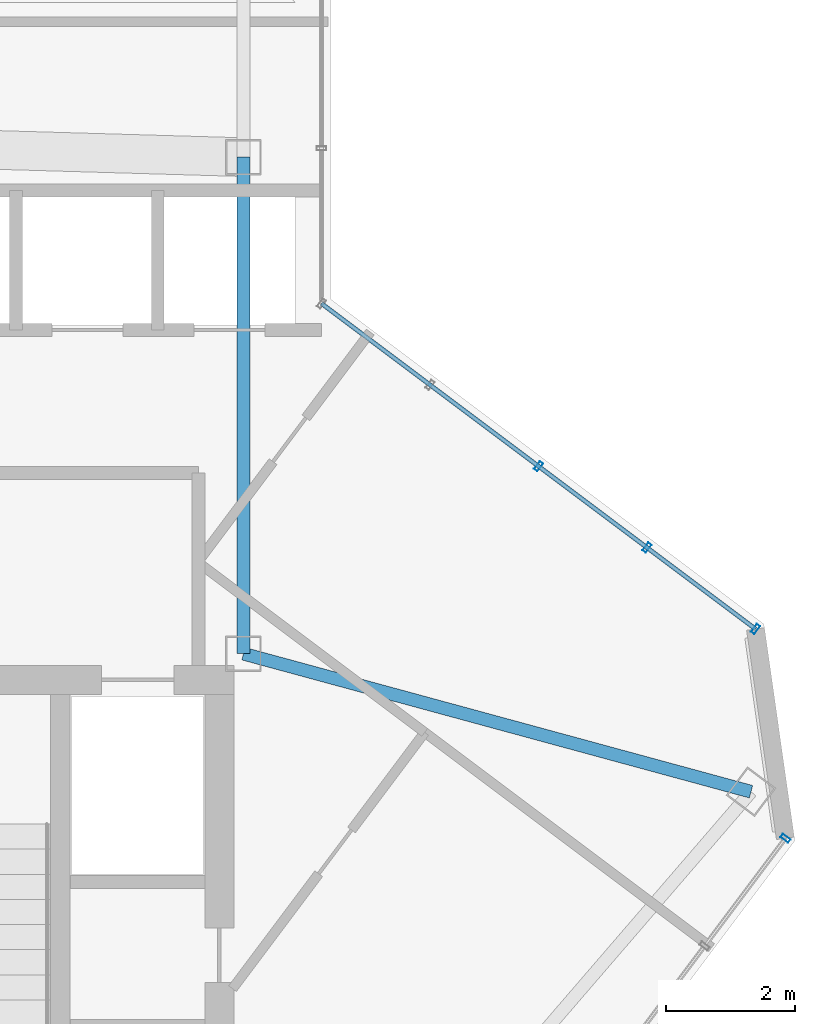
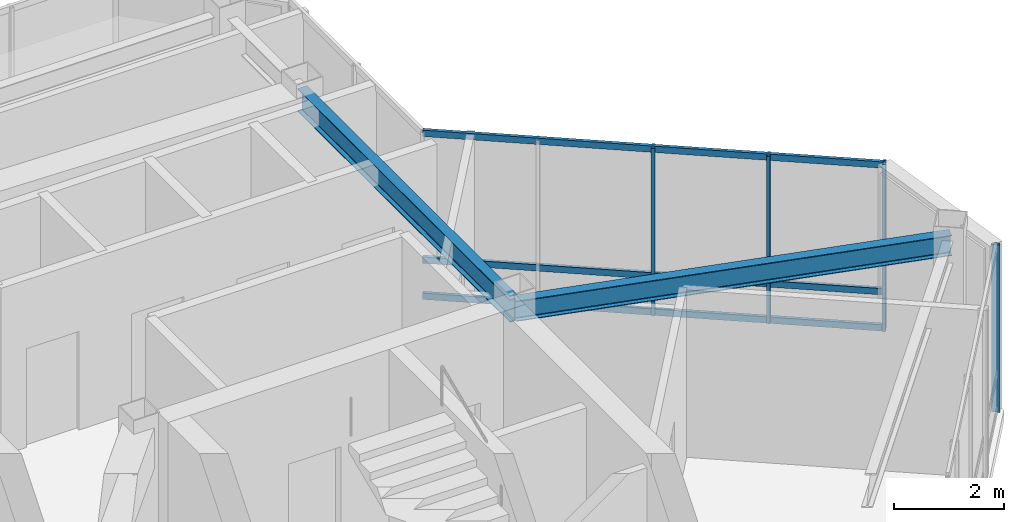
# One storey, part 13 of 24: 7 members, 2 beams, 2 elements without a shape of their own.
"""IFC4 building model written with IfcOpenShell, lengths in metres."""

from ifc_helpers import new_model, si_unit, direction, frame, origin, origin_2d, place, context, subcontext, project, spatial, hollow_rectangle, i_section, extrude, material, layer, layer_set, material_profile, profile_set, type_object, element, aggregate, save


model = new_model("IFC4")

# Units and contexts
model_context = context("Model", 3, precision=1e-05, world=origin(), true_north=direction((0.0, 1.0)))
body_context = subcontext(model_context, "Body", "Model", "MODEL_VIEW")
ifc_project = project(units=[si_unit("LENGTHUNIT", "METRE"), si_unit("AREAUNIT", "SQUARE_METRE"), si_unit("VOLUMEUNIT", "CUBIC_METRE"), si_unit("PLANEANGLEUNIT", "RADIAN"), si_unit("MASSUNIT", "GRAM", prefix="KILO")], contexts=[model_context])

# Site, building, storey
site_placement = place(None, origin())
site = spatial("IfcSite", under=ifc_project, at=site_placement, CompositionType="ELEMENT")
building_placement = place(site_placement, origin())
building = spatial("IfcBuilding", under=site, at=building_placement, Name="Hatsunagi Terrace Concourse", CompositionType="ELEMENT")
storey_placement = place(building_placement, frame((0.0, 0.0, 285.949951171875)))
storey = spatial("IfcBuildingStorey", under=building, at=storey_placement, Name="L75", CompositionType="ELEMENT", Elevation=285.949951171875)

# Beam
ifc_material_1 = material(Name="Steel SN490B", Category="steel")
ifc_material_profile_1 = material_profile(ifc_material_1, i_section(OverallWidth=0.199951171875, OverallDepth=0.5, WebThickness=0.010009765625, FlangeThickness=0.01611328125, FilletRadius=0.01611328125, at=origin_2d()), Name="H-500x200x10x16")
ifc_profile_set_1 = profile_set([ifc_material_profile_1], Name="Steel SN490B")
beam_type_1 = type_object("IfcBeamType", Name="CrownFloorGirder_H_500x200", PredefinedType="BEAM", material=ifc_profile_set_1)
beam_1_placement = place(storey_placement, frame((43.64990234375, 35.300048828125, 3.449951171875), z_axis=(0.0, 1.0, 0.0), x_axis=(-1.0, 0.0, 0.0)))
element("IfcBeam", 1, at=beam_1_placement, inside=storey, type_object=beam_type_1, Name="Beam G-07 BM-L75-CBK3", PredefinedType="BEAM", context=body_context, shape_type="SweptSolid", body=[
    extrude(i_section(OverallWidth=0.199951171875, OverallDepth=0.5, WebThickness=0.010009765625, FlangeThickness=0.01611328125, FilletRadius=0.01611328125, at=origin_2d()), origin(), (0.0, 0.0, 1.0), 7.699951171875),
])

# Curtain wall, members
ifc_material_2 = material(Name="Anodised Aluminium Alloy 6063-T5", Category="aluminium")
ifc_layer = layer(ifc_material_2, 0.199951171875)
ifc_layer_set = layer_set([ifc_layer], Name="CrownWintergarden_CW06")
curtain_wall_type = type_object("IfcCurtainWallType", Name="CrownWintergarden_CW06", PredefinedType="NOTDEFINED", material=ifc_layer_set)
curtain_wall_1_placement = place(storey_placement, origin())
curtain_wall_1 = element("IfcCurtainWall", 2, at=curtain_wall_1_placement, inside=storey, type_object=curtain_wall_type, Name="Unitised Curtain Wall CW-06 CW-L75-01", PredefinedType="NOTDEFINED")
ifc_material_3 = material(Name="Anodised Aluminium Alloy 6063-T5", Category="aluminium")
ifc_material_profile_2 = material_profile(ifc_material_3, hollow_rectangle(XDim=0.06494140625, YDim=0.14990234375, WallThickness=0.00390625, at=origin_2d()), Name="ALU-MUL-150x65x4")
ifc_profile_set_2 = profile_set([ifc_material_profile_2], Name="Anodised Aluminium Alloy 6063-T5")
member_type_1 = type_object("IfcMemberType", Name="CurtainWallMullion_Crown_150x65", PredefinedType="MULLION", material=ifc_profile_set_2)
member_1_placement = place(storey_placement, frame((48.22509765625, 38.2060546875, 0.0), z_axis=(0.0, 0.0, 1.0), x_axis=(0.800028248794, -0.599962333093, 0.0)))
member_1 = element("IfcMember", 3, at=member_1_placement, type_object=member_type_1, Name="Curtain Wall Mullion MUL-03", PredefinedType="MULLION", context=body_context, shape_type="SweptSolid", body=[
    extrude(hollow_rectangle(XDim=0.06494140625, YDim=0.14990234375, WallThickness=0.00390625, at=origin_2d()), origin(), (0.0, 0.0, 1.0), 3.699951171875),
])
member_2_placement = place(storey_placement, frame((49.906982421875, 36.945068359375, 0.0), z_axis=(0.0, 0.0, 1.0), x_axis=(0.800028248794, -0.599962333093, 0.0)))
member_2 = element("IfcMember", 4, at=member_2_placement, type_object=member_type_1, Name="Curtain Wall Mullion MUL-03", PredefinedType="MULLION", context=body_context, shape_type="SweptSolid", body=[
    extrude(hollow_rectangle(XDim=0.06494140625, YDim=0.14990234375, WallThickness=0.00390625, at=origin_2d()), origin(), (0.0, 0.0, 1.0), 3.699951171875),
])
member_3_placement = place(storey_placement, frame((51.590087890625, 35.68310546875, 0.0), z_axis=(0.0, 0.0, 1.0), x_axis=(0.800028248794, -0.599962333093, 0.0)))
member_3 = element("IfcMember", 5, at=member_3_placement, type_object=member_type_1, Name="Curtain Wall Mullion MUL-03", PredefinedType="MULLION", context=body_context, shape_type="SweptSolid", body=[
    extrude(hollow_rectangle(XDim=0.06494140625, YDim=0.14990234375, WallThickness=0.00390625, at=origin_2d()), origin(), (0.0, 0.0, 1.0), 3.699951171875),
])

# Curtain wall, member
curtain_wall_2_placement = place(storey_placement, origin())
curtain_wall_2 = element("IfcCurtainWall", 6, at=curtain_wall_2_placement, inside=storey, type_object=curtain_wall_type, Name="Unitised Curtain Wall CW-06 CW-L75-03", PredefinedType="NOTDEFINED")
member_4_placement = place(storey_placement, frame((52.052978515625, 32.43798828125, 0.0), z_axis=(0.0, 0.0, 1.0), x_axis=(-0.599969314634, -0.800023013105, 0.0)))
member_4 = element("IfcMember", 7, at=member_4_placement, type_object=member_type_1, Name="Curtain Wall Mullion MUL-03", PredefinedType="MULLION", context=body_context, shape_type="SweptSolid", body=[
    extrude(hollow_rectangle(XDim=0.06494140625, YDim=0.14990234375, WallThickness=0.00390625, at=origin_2d()), origin(), (0.0, 0.0, 1.0), 3.699951171875),
])
aggregate(curtain_wall_2, [member_4])

# Member
ifc_material_4 = material(Name="Anodised Aluminium Alloy 6063-T5", Category="aluminium")
ifc_material_profile_3 = material_profile(ifc_material_4, hollow_rectangle(XDim=0.06494140625, YDim=0.139892578125, WallThickness=0.00390625, at=origin_2d()), Name="ALU-TRN-140x65x4")
ifc_profile_set_3 = profile_set([ifc_material_profile_3], Name="Anodised Aluminium Alloy 6063-T5")
member_type_2 = type_object("IfcMemberType", Name="CurtainWallTransom_140x65", PredefinedType="USERDEFINED", material=ifc_profile_set_3)
member_5_placement = place(storey_placement, frame((44.860107421875, 40.72998046875, 0.050048828125), z_axis=(0.800034825678, -0.599953562955, 0.0), x_axis=(0.599953562955, 0.800034825678, 0.0)))
member_5 = element("IfcMember", 8, at=member_5_placement, type_object=member_type_2, Name="Curtain Wall Transom TRN-02", ObjectType="TRANSOM", PredefinedType="USERDEFINED", context=body_context, shape_type="SweptSolid", body=[
    extrude(hollow_rectangle(XDim=0.06494140625, YDim=0.139892578125, WallThickness=0.00390625, at=origin_2d()), origin(), (0.0, 0.0, 1.0), 8.412109375),
])

member_6_placement = place(storey_placement, frame((44.860107421875, 40.72998046875, 0.85009765625), z_axis=(0.800034825678, -0.599953562955, 0.0), x_axis=(0.599953562955, 0.800034825678, 0.0)))
member_6 = element("IfcMember", 9, at=member_6_placement, type_object=member_type_2, Name="Curtain Wall Transom TRN-02", ObjectType="TRANSOM", PredefinedType="USERDEFINED", context=body_context, shape_type="SweptSolid", body=[
    extrude(hollow_rectangle(XDim=0.06494140625, YDim=0.139892578125, WallThickness=0.00390625, at=origin_2d()), origin(), (0.0, 0.0, 1.0), 8.412109375),
])

member_7_placement = place(storey_placement, frame((44.860107421875, 40.72998046875, 3.650146484375), z_axis=(0.800034825678, -0.599953562955, 0.0), x_axis=(0.599953562955, 0.800034825678, 0.0)))
member_7 = element("IfcMember", 10, at=member_7_placement, type_object=member_type_2, Name="Curtain Wall Transom TRN-02", ObjectType="TRANSOM", PredefinedType="USERDEFINED", context=body_context, shape_type="SweptSolid", body=[
    extrude(hollow_rectangle(XDim=0.06494140625, YDim=0.139892578125, WallThickness=0.00390625, at=origin_2d()), origin(), (0.0, 0.0, 1.0), 8.412109375),
])

aggregate(curtain_wall_1, [member_1, member_2, member_3, member_5, member_6, member_7])

# Beam
ifc_material_5 = material(Name="Steel SN490B", Category="steel")
ifc_material_profile_4 = material_profile(ifc_material_5, i_section(OverallWidth=0.199951171875, OverallDepth=0.449951171875, WebThickness=0.009033203125, FlangeThickness=0.013916015625, FilletRadius=0.01611328125, at=origin_2d()), Name="H-450x200x9x14")
ifc_profile_set_4 = profile_set([ifc_material_profile_4], Name="Steel SN490B")
beam_type_2 = type_object("IfcBeamType", Name="PerimeterSpandrel_H_450x200", PredefinedType="SPANDREL", material=ifc_profile_set_4)
beam_2_placement = place(storey_placement, frame((43.64990234375, 35.300048828125, 3.47509765625), z_axis=(0.964958359286, -0.262403057994, 0.0), x_axis=(0.262403057994, 0.964958359286, 0.0)))
element("IfcBeam", 11, at=beam_2_placement, inside=storey, type_object=beam_type_2, Name="Beam SP-02 BM-L75-SE-NE0", PredefinedType="SPANDREL", context=body_context, shape_type="SweptSolid", body=[
    extrude(i_section(OverallWidth=0.199951171875, OverallDepth=0.449951171875, WebThickness=0.009033203125, FlangeThickness=0.013916015625, FilletRadius=0.01611328125, at=origin_2d()), origin(), (0.0, 0.0, 1.0), 8.156005859375),
])

save(model, "model.ifc")
